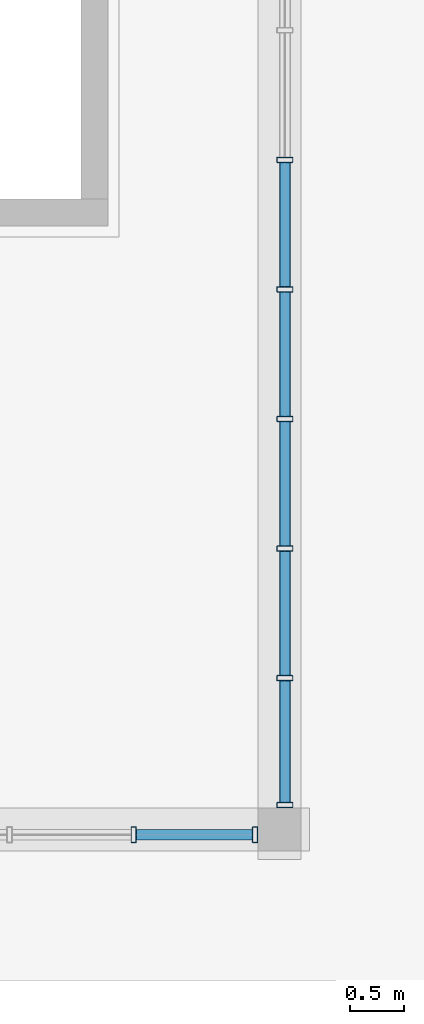
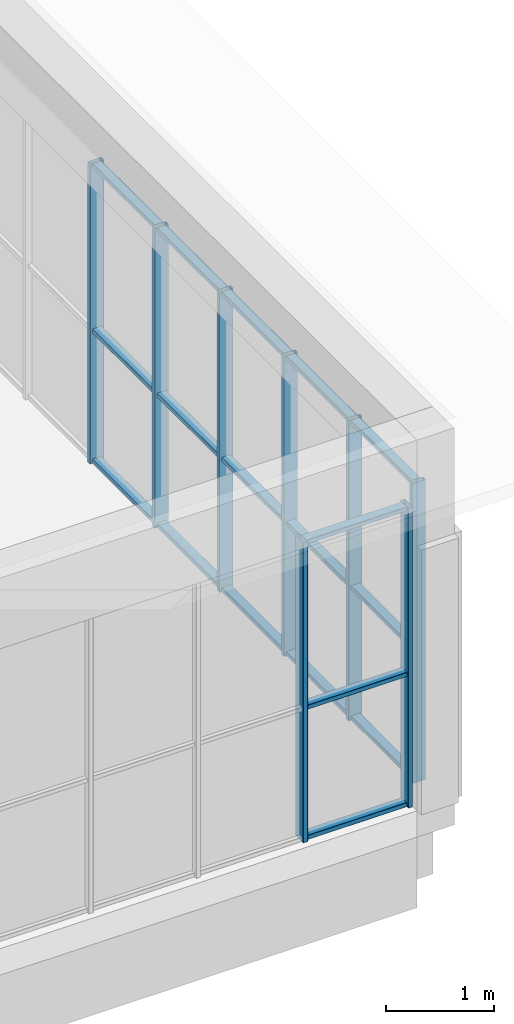
# One storey, part 25 of 92: 26 members, 2 elements without a shape of their own.
"""IFC4 building model written with IfcOpenShell, lengths in metres."""

import ifcopenshell
import ifcopenshell.guid

model = None  # the IFC model being written
_history = None  # IfcOwnerHistory: only IFC2X3 demands one
_inside = {}  # id of a spatial element -> (the spatial element, [elements in it])
_under = {}  # id of a project, library or spatial element -> (it, [spatial elements below it])
_declared = {}  # id of a project -> (the project, [libraries it declares])
_typed = {}  # id of a type object -> (the type object, [elements of that type])
_made_of = {}  # id of a material, layer set ... -> (it, [elements and type objects made of it])


def new_model(schema):
    """Start an empty IFC model of exactly this schema.

    Asked for "IFC4X3", IfcOpenShell would pick the latest addendum, in which some entities
    have other attributes; the version numbers below select the first issue.
    IFC2X3 requires an IfcOwnerHistory on every rooted entity: one is made here for all.
    """
    global model, _history
    if schema == "IFC4X3":
        model = ifcopenshell.file(schema_version=(4, 3, 0, 0))
    else:
        model = ifcopenshell.file(schema=schema)
    _inside.clear()
    _under.clear()
    _declared.clear()
    _typed.clear()
    _made_of.clear()
    _history = None
    if model.schema == "IFC2X3":
        org = make("IfcOrganization", Name="unknown")
        user = make(
            "IfcPersonAndOrganization",
            ThePerson=make("IfcPerson", FamilyName="unknown"),
            TheOrganization=org,
        )
        app = make(
            "IfcApplication",
            ApplicationDeveloper=org,
            Version="unknown",
            ApplicationFullName="unknown",
            ApplicationIdentifier="unknown",
        )
        _history = make(
            "IfcOwnerHistory",
            OwningUser=user,
            OwningApplication=app,
            ChangeAction="ADDED",
            CreationDate=0,
        )
    return model


def make(cls, **values):
    """One entity of the class cls with the attributes given. An attribute that is None is left unset."""
    return model.create_entity(
        cls, **{name: value for name, value in values.items() if value is not None}
    )


def rooted(cls, **values):
    """An entity with a GlobalId (a new one), such as an element, a storey or a relation."""
    return make(cls, GlobalId=ifcopenshell.guid.new(), OwnerHistory=_history, **values)


def si_unit(unit_type, name, prefix=None):
    """IfcSIUnit, for example si_unit("LENGTHUNIT", "METRE", prefix="MILLI")."""
    return make("IfcSIUnit", UnitType=unit_type, Prefix=prefix, Name=name)


def assignment(units):
    """IfcUnitAssignment: the units of a project."""
    return None if units is None else make("IfcUnitAssignment", Units=units)


def point(xyz):
    """IfcCartesianPoint."""
    return None if xyz is None else make("IfcCartesianPoint", Coordinates=xyz)


def direction(xyz):
    """IfcDirection."""
    return None if xyz is None else make("IfcDirection", DirectionRatios=xyz)


def frame(location, z_axis=None, x_axis=None):
    """IfcAxis2Placement3D, a coordinate frame: its origin and axes. An axis left out is left unset."""
    return make(
        "IfcAxis2Placement3D",
        Location=point(location),
        Axis=direction(z_axis),
        RefDirection=direction(x_axis),
    )


def frame_2d(location, x_axis=None):
    """IfcAxis2Placement2D, a coordinate frame in the plane: its origin and x axis."""
    return make(
        "IfcAxis2Placement2D", Location=point(location), RefDirection=direction(x_axis)
    )


def origin():
    """The frame at (0, 0, 0) with its axes left unset."""
    return frame((0.0, 0.0, 0.0))


def origin_2d():
    """The frame at (0, 0) in the plane with its x axis left unset."""
    return frame_2d((0.0, 0.0))


def place(relative_to, where):
    """IfcLocalPlacement: puts the frame where relative to a parent placement (None: the world)."""
    return make(
        "IfcLocalPlacement", PlacementRelTo=relative_to, RelativePlacement=where
    )


def context(
    kind, dimensions, precision=None, world=None, true_north=None, identifier=None
):
    """IfcGeometricRepresentationContext, for example the 3D "Model" context."""
    return make(
        "IfcGeometricRepresentationContext",
        ContextIdentifier=identifier,
        ContextType=kind,
        CoordinateSpaceDimension=dimensions,
        Precision=precision,
        WorldCoordinateSystem=world,
        TrueNorth=true_north,
    )


def subcontext(parent, identifier, kind, view, scale=None):
    """IfcGeometricRepresentationSubContext, for example "Body" below "Model"."""
    return make(
        "IfcGeometricRepresentationSubContext",
        ContextIdentifier=identifier,
        ContextType=kind,
        ParentContext=parent,
        TargetScale=scale,
        TargetView=view,
    )


def project(units=None, contexts=None):
    """IfcProject with its units and contexts."""
    return rooted(
        "IfcProject",
        Name="project",
        RepresentationContexts=contexts,
        UnitsInContext=assignment(units),
    )


def spatial(cls, under=None, at=None, **own):
    """A site, building, storey or space (cls), placed at a placement, below another one or the project."""
    s = rooted(cls, ObjectPlacement=at, **own)
    if under is not None:
        _under.setdefault(under.id(), (under, []))[1].append(s)
    return s


def profile(cls, at=None, kind="AREA", **sizes):
    """A parametric profile (cls). Its sizes go by their IFC names, for example OverallWidth=200.0."""
    return make(cls, ProfileType=kind, Position=at, **sizes)


def hollow_rectangle(**sizes):
    """IfcRectangleHollowProfileDef."""
    return profile("IfcRectangleHollowProfileDef", **sizes)


def extrude(swept, where, along, depth):
    """IfcExtrudedAreaSolid: the profile swept, set in the frame where, extruded along a direction by depth."""
    return make(
        "IfcExtrudedAreaSolid",
        SweptArea=swept,
        Position=where,
        ExtrudedDirection=direction(along),
        Depth=depth,
    )


def shape(context_of_items, identifier, shape_type, items):
    """IfcShapeRepresentation: the items that make up one representation, for example the "Body"."""
    return make(
        "IfcShapeRepresentation",
        ContextOfItems=context_of_items,
        RepresentationIdentifier=identifier,
        RepresentationType=shape_type,
        Items=items,
    )


def material(Name=None, Category=None):
    """IfcMaterial."""
    return make("IfcMaterial", Name=Name, Category=Category)


def material_profile(
    of_material, cross_section, Name=None, Category=None, Priority=None
):
    """IfcMaterialProfile: a cross section and its material."""
    return make(
        "IfcMaterialProfile",
        Name=Name,
        Material=of_material,
        Profile=cross_section,
        Priority=Priority,
        Category=Category,
    )


def profile_set(profiles, Name=None, composite=None):
    """IfcMaterialProfileSet."""
    return make(
        "IfcMaterialProfileSet",
        Name=Name,
        MaterialProfiles=profiles,
        CompositeProfile=composite,
    )


def made_of(thing, what):
    """Note that an element or type object is made of a material, layer set ...; save() writes the relation."""
    if what is not None:
        _made_of.setdefault(what.id(), (what, []))[1].append(thing)
    return thing


def type_object(cls, material=None, **own):
    """A type object (cls), such as IfcWallType, which elements share."""
    return made_of(rooted(cls, **own), material)


def element(
    cls,
    number,
    at=None,
    inside=None,
    cuts=None,
    type_object=None,
    material=None,
    context=None,
    identifier="Body",
    shape_type=None,
    held_by="IfcProductDefinitionShape",
    body=None,
    shapes=None,
    **own,
):
    """One element of the class cls, such as IfcWall. Its Tag is "e" and its number.

    at: its placement. inside: the storey or other place that contains it. cuts: it is an
    opening in that element (IfcRelVoidsElement). A single representation is given by context,
    identifier, shape_type and body (its items); several are given by shapes. held_by: the class
    of the entity that holds the representations. save() writes the other relations.
    """
    e = rooted(cls, Tag="e%d" % number, ObjectPlacement=at, **own)
    if body is not None:
        shapes = [shape(context, identifier, shape_type, body)]
    if shapes is not None:
        e.Representation = make(held_by, Representations=shapes)
    if inside is not None:
        _inside.setdefault(inside.id(), (inside, []))[1].append(e)
    if cuts is not None:
        rooted(
            "IfcRelVoidsElement", RelatingBuildingElement=cuts, RelatedOpeningElement=e
        )
    if type_object is not None:
        _typed.setdefault(type_object.id(), (type_object, []))[1].append(e)
    return made_of(e, material)


def aggregate(whole, parts):
    """IfcRelAggregates: a whole, such as a stair, and the parts it consists of."""
    return rooted("IfcRelAggregates", RelatingObject=whole, RelatedObjects=parts)


def save(model, path):
    """Write the relations noted so far, then the file.

    IfcRelAggregates (storeys below a building ...), IfcRelContainedInSpatialStructure (elements
    in a storey), IfcRelDefinesByType, IfcRelAssociatesMaterial and IfcRelDeclares: one each for
    every whole, place, type object, material and project.
    """
    for whole, parts in _under.values():
        aggregate(whole, parts)
    for where, things in _inside.values():
        rooted(
            "IfcRelContainedInSpatialStructure",
            RelatedElements=things,
            RelatingStructure=where,
        )
    for kind, things in _typed.values():
        rooted("IfcRelDefinesByType", RelatedObjects=things, RelatingType=kind)
    for what, things in _made_of.values():
        rooted("IfcRelAssociatesMaterial", RelatedObjects=things, RelatingMaterial=what)
    for by, libraries in _declared.values():
        rooted("IfcRelDeclares", RelatingContext=by, RelatedDefinitions=libraries)
    model.write(path)


model = new_model("IFC4")

# Units and contexts
model_context = context("Model", 3, precision=1e-05, world=origin(), true_north=direction((0.0, 1.0)))
body_context = subcontext(model_context, "Body", "Model", "MODEL_VIEW")
ifc_project = project(units=[si_unit("LENGTHUNIT", "METRE"), si_unit("AREAUNIT", "SQUARE_METRE"), si_unit("VOLUMEUNIT", "CUBIC_METRE"), si_unit("PLANEANGLEUNIT", "RADIAN"), si_unit("MASSUNIT", "GRAM", prefix="KILO")], contexts=[model_context])

# Site, building, storey
site_placement = place(None, origin())
site = spatial("IfcSite", under=ifc_project, at=site_placement, CompositionType="ELEMENT")
building_placement = place(site_placement, origin())
building = spatial("IfcBuilding", under=site, at=building_placement, Name="Sun Court Science Centre", CompositionType="ELEMENT")
storey_placement = place(building_placement, frame((0.0, 0.0, 11.25)))
storey = spatial("IfcBuildingStorey", under=building, at=storey_placement, Name="L02", CompositionType="ELEMENT", Elevation=11.25)

# Curtain wall, members
ifc_material_1 = material(Name="Aluminium EN AW-6063 T6", Category="aluminium")
curtain_wall_type = type_object("IfcCurtainWallType", Name="Pavilion curtain wall 1200", PredefinedType="NOTDEFINED", material=ifc_material_1)
curtain_wall_1_placement = place(storey_placement, origin())
curtain_wall_1 = element("IfcCurtainWall", 1, at=curtain_wall_1_placement, inside=storey, type_object=curtain_wall_type, Name="Curtain wall V5 S L02 01", PredefinedType="NOTDEFINED")
ifc_material_2 = material(Name="Aluminium EN AW-6063 T6", Category="aluminium")
ifc_material_profile_1 = material_profile(ifc_material_2, hollow_rectangle(XDim=0.050048828125, YDim=0.14990234375, WallThickness=0.00390625, InnerFilletRadius=0.00390625, OuterFilletRadius=0.006103515625, at=origin_2d()), Name="AL 50x150x4")
ifc_profile_set_1 = profile_set([ifc_material_profile_1], Name="Aluminium EN AW-6063 T6")
member_type_1 = type_object("IfcMemberType", Name="Curtain wall mullion AL 50x150", PredefinedType="MULLION", material=ifc_profile_set_1)
member_1_placement = place(storey_placement, frame((64.449951171875, 36.14990234375, 0.0), z_axis=(0.0, 0.0, 1.0), x_axis=(-1.0, 0.0, 0.0)))
member_1 = element("IfcMember", 2, at=member_1_placement, type_object=member_type_1, Name="CW3-08 mullion 2", PredefinedType="MULLION", context=body_context, shape_type="SweptSolid", body=[
    extrude(hollow_rectangle(XDim=0.050048828125, YDim=0.14990234375, WallThickness=0.00390625, InnerFilletRadius=0.00390625, OuterFilletRadius=0.006103515625, at=origin_2d()), origin(), (0.0, 0.0, 1.0), 3.39990234375),
])
member_2_placement = place(storey_placement, frame((65.574951171875, 36.14990234375, 0.0), z_axis=(0.0, 0.0, 1.0), x_axis=(-1.0, 0.0, 0.0)))
member_2 = element("IfcMember", 3, at=member_2_placement, type_object=member_type_1, Name="CW3-08 mullion 1", PredefinedType="MULLION", context=body_context, shape_type="SweptSolid", body=[
    extrude(hollow_rectangle(XDim=0.050048828125, YDim=0.14990234375, WallThickness=0.00390625, InnerFilletRadius=0.00390625, OuterFilletRadius=0.006103515625, at=origin_2d()), origin(), (0.0, 0.0, 1.0), 3.39990234375),
])

curtain_wall_2_placement = place(storey_placement, origin())
curtain_wall_2 = element("IfcCurtainWall", 4, at=curtain_wall_2_placement, inside=storey, type_object=curtain_wall_type, Name="Curtain wall V5 E L02 01", PredefinedType="NOTDEFINED")
member_3_placement = place(storey_placement, frame((65.85009765625, 36.425048828125, 0.0), z_axis=(0.0, 0.0, 1.0), x_axis=(0.0, -1.0, 0.0)))
member_3 = element("IfcMember", 5, at=member_3_placement, type_object=member_type_1, Name="CW3-22 mullion 12", PredefinedType="MULLION", context=body_context, shape_type="SweptSolid", body=[
    extrude(hollow_rectangle(XDim=0.050048828125, YDim=0.14990234375, WallThickness=0.00390625, InnerFilletRadius=0.00390625, OuterFilletRadius=0.006103515625, at=origin_2d()), origin(), (0.0, 0.0, 1.0), 3.39990234375),
])
member_4_placement = place(storey_placement, frame((65.85009765625, 37.60009765625, 0.0), z_axis=(0.0, 0.0, 1.0), x_axis=(0.0, -1.0, 0.0)))
member_4 = element("IfcMember", 6, at=member_4_placement, type_object=member_type_1, Name="CW3-22 mullion 11", PredefinedType="MULLION", context=body_context, shape_type="SweptSolid", body=[
    extrude(hollow_rectangle(XDim=0.050048828125, YDim=0.14990234375, WallThickness=0.00390625, InnerFilletRadius=0.00390625, OuterFilletRadius=0.006103515625, at=origin_2d()), origin(), (0.0, 0.0, 1.0), 3.39990234375),
])
member_5_placement = place(storey_placement, frame((65.85009765625, 38.800048828125, 0.0), z_axis=(0.0, 0.0, 1.0), x_axis=(0.0, -1.0, 0.0)))
member_5 = element("IfcMember", 7, at=member_5_placement, type_object=member_type_1, Name="CW3-22 mullion 10", PredefinedType="MULLION", context=body_context, shape_type="SweptSolid", body=[
    extrude(hollow_rectangle(XDim=0.050048828125, YDim=0.14990234375, WallThickness=0.00390625, InnerFilletRadius=0.00390625, OuterFilletRadius=0.006103515625, at=origin_2d()), origin(), (0.0, 0.0, 1.0), 3.39990234375),
])
member_6_placement = place(storey_placement, frame((65.85009765625, 40.0, 0.0), z_axis=(0.0, 0.0, 1.0), x_axis=(0.0, -1.0, 0.0)))
member_6 = element("IfcMember", 8, at=member_6_placement, type_object=member_type_1, Name="CW3-22 mullion 9", PredefinedType="MULLION", context=body_context, shape_type="SweptSolid", body=[
    extrude(hollow_rectangle(XDim=0.050048828125, YDim=0.14990234375, WallThickness=0.00390625, InnerFilletRadius=0.00390625, OuterFilletRadius=0.006103515625, at=origin_2d()), origin(), (0.0, 0.0, 1.0), 3.39990234375),
])
member_7_placement = place(storey_placement, frame((65.85009765625, 41.199951171875, 0.0), z_axis=(0.0, 0.0, 1.0), x_axis=(0.0, -1.0, 0.0)))
member_7 = element("IfcMember", 9, at=member_7_placement, type_object=member_type_1, Name="CW3-22 mullion 8", PredefinedType="MULLION", context=body_context, shape_type="SweptSolid", body=[
    extrude(hollow_rectangle(XDim=0.050048828125, YDim=0.14990234375, WallThickness=0.00390625, InnerFilletRadius=0.00390625, OuterFilletRadius=0.006103515625, at=origin_2d()), origin(), (0.0, 0.0, 1.0), 3.39990234375),
])
member_8_placement = place(storey_placement, frame((65.85009765625, 42.39990234375, 0.0), z_axis=(0.0, 0.0, 1.0), x_axis=(0.0, -1.0, 0.0)))
member_8 = element("IfcMember", 10, at=member_8_placement, type_object=member_type_1, Name="CW3-22 mullion 7", PredefinedType="MULLION", context=body_context, shape_type="SweptSolid", body=[
    extrude(hollow_rectangle(XDim=0.050048828125, YDim=0.14990234375, WallThickness=0.00390625, InnerFilletRadius=0.00390625, OuterFilletRadius=0.006103515625, at=origin_2d()), origin(), (0.0, 0.0, 1.0), 3.39990234375),
])

# Member
ifc_material_3 = material(Name="Aluminium EN AW-6063 T6", Category="aluminium")
ifc_material_profile_2 = material_profile(ifc_material_3, hollow_rectangle(XDim=0.050048828125, YDim=0.10009765625, WallThickness=0.00390625, InnerFilletRadius=0.00390625, OuterFilletRadius=0.006103515625, at=origin_2d()), Name="AL 50x100x4")
ifc_profile_set_2 = profile_set([ifc_material_profile_2], Name="Aluminium EN AW-6063 T6")
member_type_2 = type_object("IfcMemberType", Name="Curtain wall transom AL 50x100", PredefinedType="USERDEFINED", material=ifc_profile_set_2)
member_9_placement = place(storey_placement, frame((65.550048828125, 36.14990234375, 0.02490234375), z_axis=(-1.0, 0.0, 0.0), x_axis=(0.0, 0.0, 1.0)))
member_9 = element("IfcMember", 11, at=member_9_placement, type_object=member_type_2, Name="CW3-08 transom 1.1", ObjectType="TRANSOM", PredefinedType="USERDEFINED", context=body_context, shape_type="SweptSolid", body=[
    extrude(hollow_rectangle(XDim=0.050048828125, YDim=0.10009765625, WallThickness=0.00390625, InnerFilletRadius=0.00390625, OuterFilletRadius=0.006103515625, at=origin_2d()), origin(), (0.0, 0.0, 1.0), 1.074951171875),
])

member_10_placement = place(storey_placement, frame((65.550048828125, 36.14990234375, 1.5), z_axis=(-1.0, 0.0, 0.0), x_axis=(0.0, 0.0, 1.0)))
member_10 = element("IfcMember", 12, at=member_10_placement, type_object=member_type_2, Name="CW3-08 transom 1.2", ObjectType="TRANSOM", PredefinedType="USERDEFINED", context=body_context, shape_type="SweptSolid", body=[
    extrude(hollow_rectangle(XDim=0.050048828125, YDim=0.10009765625, WallThickness=0.00390625, InnerFilletRadius=0.00390625, OuterFilletRadius=0.006103515625, at=origin_2d()), origin(), (0.0, 0.0, 1.0), 1.074951171875),
])

member_11_placement = place(storey_placement, frame((65.550048828125, 36.14990234375, 3.375), z_axis=(-1.0, 0.0, 0.0), x_axis=(0.0, 0.0, 1.0)))
member_11 = element("IfcMember", 13, at=member_11_placement, type_object=member_type_2, Name="CW3-08 transom 1.3", ObjectType="TRANSOM", PredefinedType="USERDEFINED", context=body_context, shape_type="SweptSolid", body=[
    extrude(hollow_rectangle(XDim=0.050048828125, YDim=0.10009765625, WallThickness=0.00390625, InnerFilletRadius=0.00390625, OuterFilletRadius=0.006103515625, at=origin_2d()), origin(), (0.0, 0.0, 1.0), 1.074951171875),
])

aggregate(curtain_wall_1, [member_1, member_2, member_9, member_10, member_11])

member_12_placement = place(storey_placement, frame((65.85009765625, 37.574951171875, 0.02490234375), z_axis=(0.0, -1.0, 0.0), x_axis=(0.0, 0.0, 1.0)))
member_12 = element("IfcMember", 14, at=member_12_placement, type_object=member_type_2, Name="CW3-22 transom 11.1", ObjectType="TRANSOM", PredefinedType="USERDEFINED", context=body_context, shape_type="SweptSolid", body=[
    extrude(hollow_rectangle(XDim=0.050048828125, YDim=0.10009765625, WallThickness=0.00390625, InnerFilletRadius=0.00390625, OuterFilletRadius=0.006103515625, at=origin_2d()), origin(), (0.0, 0.0, 1.0), 1.125),
])

member_13_placement = place(storey_placement, frame((65.85009765625, 38.77490234375, 0.02490234375), z_axis=(0.0, -1.0, 0.0), x_axis=(0.0, 0.0, 1.0)))
member_13 = element("IfcMember", 15, at=member_13_placement, type_object=member_type_2, Name="CW3-22 transom 10.1", ObjectType="TRANSOM", PredefinedType="USERDEFINED", context=body_context, shape_type="SweptSolid", body=[
    extrude(hollow_rectangle(XDim=0.050048828125, YDim=0.10009765625, WallThickness=0.00390625, InnerFilletRadius=0.00390625, OuterFilletRadius=0.006103515625, at=origin_2d()), origin(), (0.0, 0.0, 1.0), 1.14990234375),
])

member_14_placement = place(storey_placement, frame((65.85009765625, 39.97509765625, 0.02490234375), z_axis=(0.0, -1.0, 0.0), x_axis=(0.0, 0.0, 1.0)))
member_14 = element("IfcMember", 16, at=member_14_placement, type_object=member_type_2, Name="CW3-22 transom 9.1", ObjectType="TRANSOM", PredefinedType="USERDEFINED", context=body_context, shape_type="SweptSolid", body=[
    extrude(hollow_rectangle(XDim=0.050048828125, YDim=0.10009765625, WallThickness=0.00390625, InnerFilletRadius=0.00390625, OuterFilletRadius=0.006103515625, at=origin_2d()), origin(), (0.0, 0.0, 1.0), 1.150146484375),
])

member_15_placement = place(storey_placement, frame((65.85009765625, 41.175048828125, 0.02490234375), z_axis=(0.0, -1.0, 0.0), x_axis=(0.0, 0.0, 1.0)))
member_15 = element("IfcMember", 17, at=member_15_placement, type_object=member_type_2, Name="CW3-22 transom 8.1", ObjectType="TRANSOM", PredefinedType="USERDEFINED", context=body_context, shape_type="SweptSolid", body=[
    extrude(hollow_rectangle(XDim=0.050048828125, YDim=0.10009765625, WallThickness=0.00390625, InnerFilletRadius=0.00390625, OuterFilletRadius=0.006103515625, at=origin_2d()), origin(), (0.0, 0.0, 1.0), 1.150146484375),
])

member_16_placement = place(storey_placement, frame((65.85009765625, 42.375, 0.02490234375), z_axis=(0.0, -1.0, 0.0), x_axis=(0.0, 0.0, 1.0)))
member_16 = element("IfcMember", 18, at=member_16_placement, type_object=member_type_2, Name="CW3-22 transom 7.1", ObjectType="TRANSOM", PredefinedType="USERDEFINED", context=body_context, shape_type="SweptSolid", body=[
    extrude(hollow_rectangle(XDim=0.050048828125, YDim=0.10009765625, WallThickness=0.00390625, InnerFilletRadius=0.00390625, OuterFilletRadius=0.006103515625, at=origin_2d()), origin(), (0.0, 0.0, 1.0), 1.14990234375),
])

member_17_placement = place(storey_placement, frame((65.85009765625, 37.574951171875, 1.5), z_axis=(0.0, -1.0, 0.0), x_axis=(0.0, 0.0, 1.0)))
member_17 = element("IfcMember", 19, at=member_17_placement, type_object=member_type_2, Name="CW3-22 transom 11.2", ObjectType="TRANSOM", PredefinedType="USERDEFINED", context=body_context, shape_type="SweptSolid", body=[
    extrude(hollow_rectangle(XDim=0.050048828125, YDim=0.10009765625, WallThickness=0.00390625, InnerFilletRadius=0.00390625, OuterFilletRadius=0.006103515625, at=origin_2d()), origin(), (0.0, 0.0, 1.0), 1.125),
])

member_18_placement = place(storey_placement, frame((65.85009765625, 38.77490234375, 1.5), z_axis=(0.0, -1.0, 0.0), x_axis=(0.0, 0.0, 1.0)))
member_18 = element("IfcMember", 20, at=member_18_placement, type_object=member_type_2, Name="CW3-22 transom 10.2", ObjectType="TRANSOM", PredefinedType="USERDEFINED", context=body_context, shape_type="SweptSolid", body=[
    extrude(hollow_rectangle(XDim=0.050048828125, YDim=0.10009765625, WallThickness=0.00390625, InnerFilletRadius=0.00390625, OuterFilletRadius=0.006103515625, at=origin_2d()), origin(), (0.0, 0.0, 1.0), 1.14990234375),
])

member_19_placement = place(storey_placement, frame((65.85009765625, 39.97509765625, 1.5), z_axis=(0.0, -1.0, 0.0), x_axis=(0.0, 0.0, 1.0)))
member_19 = element("IfcMember", 21, at=member_19_placement, type_object=member_type_2, Name="CW3-22 transom 9.2", ObjectType="TRANSOM", PredefinedType="USERDEFINED", context=body_context, shape_type="SweptSolid", body=[
    extrude(hollow_rectangle(XDim=0.050048828125, YDim=0.10009765625, WallThickness=0.00390625, InnerFilletRadius=0.00390625, OuterFilletRadius=0.006103515625, at=origin_2d()), origin(), (0.0, 0.0, 1.0), 1.150146484375),
])

member_20_placement = place(storey_placement, frame((65.85009765625, 41.175048828125, 1.5), z_axis=(0.0, -1.0, 0.0), x_axis=(0.0, 0.0, 1.0)))
member_20 = element("IfcMember", 22, at=member_20_placement, type_object=member_type_2, Name="CW3-22 transom 8.2", ObjectType="TRANSOM", PredefinedType="USERDEFINED", context=body_context, shape_type="SweptSolid", body=[
    extrude(hollow_rectangle(XDim=0.050048828125, YDim=0.10009765625, WallThickness=0.00390625, InnerFilletRadius=0.00390625, OuterFilletRadius=0.006103515625, at=origin_2d()), origin(), (0.0, 0.0, 1.0), 1.150146484375),
])

member_21_placement = place(storey_placement, frame((65.85009765625, 42.375, 1.5), z_axis=(0.0, -1.0, 0.0), x_axis=(0.0, 0.0, 1.0)))
member_21 = element("IfcMember", 23, at=member_21_placement, type_object=member_type_2, Name="CW3-22 transom 7.2", ObjectType="TRANSOM", PredefinedType="USERDEFINED", context=body_context, shape_type="SweptSolid", body=[
    extrude(hollow_rectangle(XDim=0.050048828125, YDim=0.10009765625, WallThickness=0.00390625, InnerFilletRadius=0.00390625, OuterFilletRadius=0.006103515625, at=origin_2d()), origin(), (0.0, 0.0, 1.0), 1.14990234375),
])

member_22_placement = place(storey_placement, frame((65.85009765625, 37.574951171875, 3.375), z_axis=(0.0, -1.0, 0.0), x_axis=(0.0, 0.0, 1.0)))
member_22 = element("IfcMember", 24, at=member_22_placement, type_object=member_type_2, Name="CW3-22 transom 11.3", ObjectType="TRANSOM", PredefinedType="USERDEFINED", context=body_context, shape_type="SweptSolid", body=[
    extrude(hollow_rectangle(XDim=0.050048828125, YDim=0.10009765625, WallThickness=0.00390625, InnerFilletRadius=0.00390625, OuterFilletRadius=0.006103515625, at=origin_2d()), origin(), (0.0, 0.0, 1.0), 1.125),
])

member_23_placement = place(storey_placement, frame((65.85009765625, 38.77490234375, 3.375), z_axis=(0.0, -1.0, 0.0), x_axis=(0.0, 0.0, 1.0)))
member_23 = element("IfcMember", 25, at=member_23_placement, type_object=member_type_2, Name="CW3-22 transom 10.3", ObjectType="TRANSOM", PredefinedType="USERDEFINED", context=body_context, shape_type="SweptSolid", body=[
    extrude(hollow_rectangle(XDim=0.050048828125, YDim=0.10009765625, WallThickness=0.00390625, InnerFilletRadius=0.00390625, OuterFilletRadius=0.006103515625, at=origin_2d()), origin(), (0.0, 0.0, 1.0), 1.14990234375),
])

member_24_placement = place(storey_placement, frame((65.85009765625, 39.97509765625, 3.375), z_axis=(0.0, -1.0, 0.0), x_axis=(0.0, 0.0, 1.0)))
member_24 = element("IfcMember", 26, at=member_24_placement, type_object=member_type_2, Name="CW3-22 transom 9.3", ObjectType="TRANSOM", PredefinedType="USERDEFINED", context=body_context, shape_type="SweptSolid", body=[
    extrude(hollow_rectangle(XDim=0.050048828125, YDim=0.10009765625, WallThickness=0.00390625, InnerFilletRadius=0.00390625, OuterFilletRadius=0.006103515625, at=origin_2d()), origin(), (0.0, 0.0, 1.0), 1.150146484375),
])

member_25_placement = place(storey_placement, frame((65.85009765625, 41.175048828125, 3.375), z_axis=(0.0, -1.0, 0.0), x_axis=(0.0, 0.0, 1.0)))
member_25 = element("IfcMember", 27, at=member_25_placement, type_object=member_type_2, Name="CW3-22 transom 8.3", ObjectType="TRANSOM", PredefinedType="USERDEFINED", context=body_context, shape_type="SweptSolid", body=[
    extrude(hollow_rectangle(XDim=0.050048828125, YDim=0.10009765625, WallThickness=0.00390625, InnerFilletRadius=0.00390625, OuterFilletRadius=0.006103515625, at=origin_2d()), origin(), (0.0, 0.0, 1.0), 1.150146484375),
])

member_26_placement = place(storey_placement, frame((65.85009765625, 42.375, 3.375), z_axis=(0.0, -1.0, 0.0), x_axis=(0.0, 0.0, 1.0)))
member_26 = element("IfcMember", 28, at=member_26_placement, type_object=member_type_2, Name="CW3-22 transom 7.3", ObjectType="TRANSOM", PredefinedType="USERDEFINED", context=body_context, shape_type="SweptSolid", body=[
    extrude(hollow_rectangle(XDim=0.050048828125, YDim=0.10009765625, WallThickness=0.00390625, InnerFilletRadius=0.00390625, OuterFilletRadius=0.006103515625, at=origin_2d()), origin(), (0.0, 0.0, 1.0), 1.14990234375),
])

aggregate(curtain_wall_2, [member_3, member_4, member_5, member_6, member_7, member_8, member_12, member_13, member_14, member_15, member_16, member_17, member_18, member_19, member_20, member_21, member_22, member_23, member_24, member_25, member_26])

save(model, "model.ifc")
